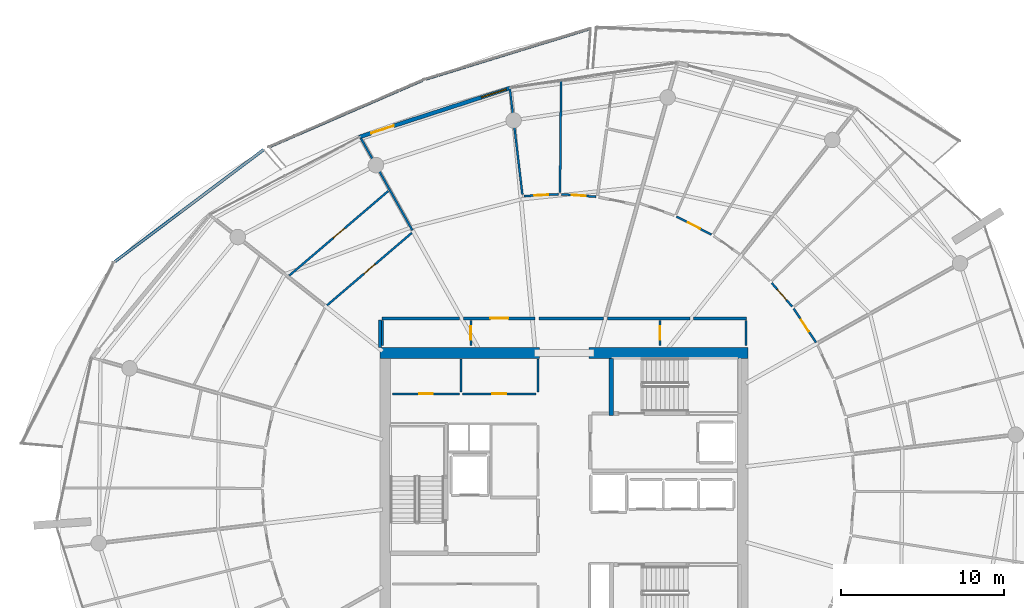
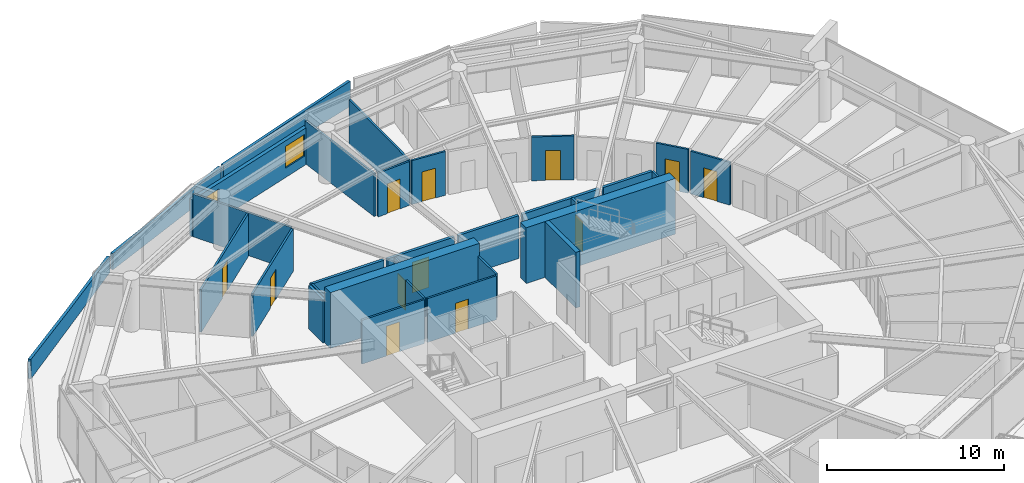
# One storey, part 21 of 30: 31 walls, 13 doors, 1 window, 14 openings.
"""IFC4 building model written with IfcOpenShell, lengths in metres."""

from ifc_helpers import new_model, si_unit, direction, frame, frame_2d, origin, place, context, subcontext, project, spatial, polyline, rectangle, outline, extrude, material, layer, layer_set, type_object, element, fill, save


model = new_model("IFC4")

# Units and contexts
model_context = context("Model", 3, precision=1e-05, world=origin(), true_north=direction((0.0, 1.0)))
body_context = subcontext(model_context, "Body", "Model", "MODEL_VIEW")
ifc_project = project(units=[si_unit("LENGTHUNIT", "METRE"), si_unit("AREAUNIT", "SQUARE_METRE"), si_unit("VOLUMEUNIT", "CUBIC_METRE"), si_unit("PLANEANGLEUNIT", "RADIAN"), si_unit("MASSUNIT", "GRAM", prefix="KILO")], contexts=[model_context])

# Site, building, storey
site_placement = place(None, origin())
site = spatial("IfcSite", under=ifc_project, at=site_placement, CompositionType="ELEMENT")
building_placement = place(site_placement, origin())
building = spatial("IfcBuilding", under=site, at=building_placement, Name="Kazma Halo Residences", CompositionType="ELEMENT")
storey_placement = place(building_placement, frame((0.0, 0.0, 255.949951171875)))
storey = spatial("IfcBuildingStorey", under=building, at=storey_placement, Name="L64", CompositionType="ELEMENT", Elevation=255.949951171875)

# Walls
ifc_material_1 = material(Name="White Concrete C50/60 Balustrade", Category="concrete")
ifc_layer_1 = layer(ifc_material_1, 0.179931640625)
ifc_layer_set_1 = layer_set([ifc_layer_1], Name="White Concrete C50/60 Balustrade")
wall_type_1 = type_object("IfcWallType", Name="WL-BAL-WAVE-180", PredefinedType="PARAPET", material=ifc_layer_set_1)
wall_1_placement = place(storey_placement, frame((50.046630859375, 70.205810546875, 0.0), z_axis=(0.0, 0.0, 1.0), x_axis=(-0.955884083791, -0.293744137565, 0.0)))
element("IfcWall", 1, at=wall_1_placement, inside=storey, type_object=wall_type_1, Name="L64 white wave balustrade wall NNW.1", PredefinedType="PARAPET", context=body_context, shape_type="SweptSolid", body=[
    extrude(outline(polyline([(0.0, 0.0), (10.543701171875, 0.0), (10.5439453125, 1.34814453125), (5.27197265625, 1.56201171875), (0.0, 1.7470703125), (0.0, 0.0)])), frame((0.0, 0.08984375, 0.0), z_axis=(0.0, -1.0, 0.0), x_axis=(1.0, 0.0, 0.0)), (0.0, 0.0, 1.0), 0.179931640625),
])
wall_2_placement = place(storey_placement, frame((39.7431640625, 67.025634765625, 0.0), z_axis=(0.0, 0.0, 1.0), x_axis=(-0.917372888721, -0.398028872119, 0.0)))
element("IfcWall", 2, at=wall_2_placement, inside=storey, type_object=wall_type_1, Name="L64 white wave balustrade wall NNW.2", PredefinedType="PARAPET", context=body_context, shape_type="SweptSolid", body=[
    extrude(outline(polyline([(0.0, 0.0), (10.257568359375, 0.0), (10.25732421875, 1.1201171875), (5.128662109375, 1.18212890625), (0.0, 1.34814453125), (0.0, 0.0)])), frame((0.0, 0.08984375, 0.0), z_axis=(0.0, -1.0, 0.0), x_axis=(1.0, 0.0, 0.0)), (0.0, 0.0, 1.0), 0.179931640625),
])
wall_3_placement = place(storey_placement, frame((30.027587890625, 62.784423828125, 0.0), z_axis=(0.0, 0.0, 1.0), x_axis=(-0.799146815098, -0.601135898046, 0.0)))
element("IfcWall", 3, at=wall_3_placement, inside=storey, type_object=wall_type_1, Name="L64 white wave balustrade wall NW.1", PredefinedType="PARAPET", context=body_context, shape_type="SweptSolid", body=[
    extrude(outline(polyline([(0.0, 0.0), (11.4111328125, 0.0), (11.4111328125, 1.34814453125), (5.70556640625, 1.18212890625), (0.0, 1.1201171875), (0.0, 0.0)])), frame((0.0, 0.08984375, 0.0), z_axis=(0.0, -1.0, 0.0), x_axis=(1.0, 0.0, 0.0)), (0.0, 0.0, 1.0), 0.179931640625),
])
ifc_material_2 = material(Name="Concrete C60/75", Category="concrete")
ifc_layer_2 = layer(ifc_material_2, 0.64990234375)
ifc_layer_set_2 = layer_set([ifc_layer_2], Name="Concrete C60/75")
wall_type_2 = type_object("IfcWallType", Name="WL-CORE-650", PredefinedType="SHEAR", material=ifc_layer_set_2)
for number, where, z_axis, x_axis, name in (
    (4, (37.14990234375, 50.324951171875, 0.0), (0.0, 0.0, 1.0), (1.0, 0.0, 0.0), "L64 central core shear wall NW"),
    (5, (49.949951171875, 50.324951171875, 0.0), (0.0, 0.0, 1.0), (1.0, 0.0, 0.0), "L64 central core shear wall NE"),
):
    element("IfcWall", number, at=place(storey_placement, frame(where, z_axis=z_axis, x_axis=x_axis)), inside=storey, type_object=wall_type_2, Name=name, PredefinedType="SHEAR", context=body_context, shape_type="SweptSolid", body=[
        extrude(rectangle(XDim=9.75, YDim=0.64990234375, at=frame_2d((4.875, 0.0))), origin(), (0.0, 0.0, 1.0), 3.85009765625),
    ])
ifc_layer_3 = layer(ifc_material_2, 0.280029296875)
ifc_layer_set_3 = layer_set([ifc_layer_3], Name="Concrete C60/75")
wall_type_3 = type_object("IfcWallType", Name="WL-CORE-ST-280", PredefinedType="SHEAR", material=ifc_layer_set_3)
wall_4_placement = place(storey_placement, frame((51.31005859375, 46.5, 0.0), z_axis=(0.0, 0.0, 1.0), x_axis=(0.0, 1.0, 0.0)))
element("IfcWall", 6, at=wall_4_placement, inside=storey, type_object=wall_type_3, Name="L64 stairwell bearing wall ST02-W", PredefinedType="SHEAR", context=body_context, shape_type="SweptSolid", body=[
    extrude(rectangle(XDim=3.5, YDim=0.280029296875, at=frame_2d((1.75, 0.0))), origin(), (0.0, 0.0, 1.0), 3.85009765625),
])

# Wall, opening, door
ifc_material_3 = material(Name="Acoustic Twin-Stud Gypsum")
ifc_layer_4 = layer(ifc_material_3, 0.179931640625)
ifc_layer_set_4 = layer_set([ifc_layer_4], Name="Acoustic Twin-Stud Gypsum")
wall_type_4 = type_object("IfcWallType", Name="WL-DEM-180", PredefinedType="PARTITIONING", material=ifc_layer_set_4)
wall_5_placement = place(storey_placement, frame((46.643310546875, 52.449951171875, 0.0), z_axis=(0.0, 0.0, 1.0), x_axis=(-1.0, 0.0, 0.0)))
wall_5 = element("IfcWall", 7, at=wall_5_placement, inside=storey, type_object=wall_type_4, Name="L64 Apartment 1 entrance corridor wall", PredefinedType="PARTITIONING", context=body_context, shape_type="SweptSolid", body=[
    extrude(rectangle(XDim=4.375732421875, YDim=0.179931640625, at=frame_2d((2.18798828125, 0.0))), origin(), (0.0, 0.0, 1.0), 2.95703125),
])
opening_1_placement = place(wall_5_placement, frame((1.6376953125, 0.0, 0.0)))
opening_1 = element("IfcOpeningElement", 8, at=opening_1_placement, cuts=wall_5, Name="Opening DA-1100", PredefinedType="OPENING", context=body_context, shape_type="SweptSolid", body=[
    extrude(rectangle(XDim=1.10009765625, YDim=2.10009765625, at=frame_2d((0.550048828125, 1.050048828125))), frame((0.0, 0.099853515625, 0.0), z_axis=(0.0, -1.0, 0.0), x_axis=(1.0, 0.0, 0.0)), (0.0, 0.0, 1.0), 0.199951171875),
])
ifc_material_4 = material(Name="Acoustic Walnut Fire Leaf")
door_type_1 = type_object("IfcDoorType", Name="DR-FD60-1100", OperationType="NOTDEFINED", PredefinedType="DOOR", material=ifc_material_4)
door_1_placement = place(opening_1_placement, origin())
door_1 = element("IfcDoor", 9, at=door_1_placement, inside=storey, type_object=door_type_1, Name="L64 Apartment 1 entrance fire door", OperationType="SINGLE_SWING_RIGHT", OverallHeight=2.10009765625, OverallWidth=1.10009765625, PredefinedType="DOOR", context=body_context, shape_type="SweptSolid", body=[
    extrude(rectangle(XDim=1.10009765625, YDim=2.10009765625, at=frame_2d((0.550048828125, 1.050048828125))), frame((0.0, 0.02490234375, 0.0), z_axis=(0.0, -1.0, 0.0), x_axis=(1.0, 0.0, 0.0)), (0.0, 0.0, 1.0), 0.050048828125),
])
fill(opening_1, door_1)

# Walls
wall_6_placement = place(storey_placement, frame((50.8271484375, 52.449951171875, 0.0), z_axis=(0.0, 0.0, 1.0), x_axis=(-1.0, 0.0, 0.0)))
element("IfcWall", 10, at=wall_6_placement, inside=storey, type_object=wall_type_4, Name="L64 Apartment 1 inner wall 2", PredefinedType="PARTITIONING", context=body_context, shape_type="SweptSolid", body=[
    extrude(rectangle(XDim=3.94384765625, YDim=0.179931640625, at=frame_2d((1.971923828125, 0.0))), origin(), (0.0, 0.0, 1.0), 2.95703125),
])
wall_7_placement = place(storey_placement, frame((42.027587890625, 52.449951171875, 0.0), z_axis=(0.0, 0.0, 1.0), x_axis=(-1.0, 0.0, 0.0)))
element("IfcWall", 11, at=wall_7_placement, inside=storey, type_object=wall_type_4, Name="L64 Apartment 1 inner wall 4", PredefinedType="PARTITIONING", context=body_context, shape_type="SweptSolid", body=[
    extrude(rectangle(XDim=4.757568359375, YDim=0.179931640625, at=frame_2d((2.37890625, 0.0))), origin(), (0.0, 0.0, 1.0), 2.95703125),
])
wall_8_placement = place(storey_placement, frame((37.14990234375, 52.330078125, 0.0), z_axis=(0.0, 0.0, 1.0), x_axis=(0.0, -1.0, 0.0)))
element("IfcWall", 12, at=wall_8_placement, inside=storey, type_object=wall_type_4, Name="L64 Apartment 1 inner wall 4", PredefinedType="PARTITIONING", context=body_context, shape_type="SweptSolid", body=[
    extrude(rectangle(XDim=1.656494140625, YDim=0.179931640625, at=frame_2d((0.828125, 0.0))), origin(), (0.0, 0.0, 1.0), 2.95703125),
])
wall_9_placement = place(storey_placement, frame((59.580078125, 52.449951171875, 0.0), z_axis=(0.0, 0.0, 1.0), x_axis=(-1.0, 0.0, 0.0)))
element("IfcWall", 13, at=wall_9_placement, inside=storey, type_object=wall_type_4, Name="L64 Apartment 3 inner wall 0", PredefinedType="PARTITIONING", context=body_context, shape_type="SweptSolid", body=[
    extrude(rectangle(XDim=3.221923828125, YDim=0.179931640625, at=frame_2d((1.61083984375, 0.0))), origin(), (0.0, 0.0, 1.0), 2.95703125),
])
wall_10_placement = place(storey_placement, frame((56.1181640625, 52.449951171875, 0.0), z_axis=(0.0, 0.0, 1.0), x_axis=(-1.0, 0.0, 0.0)))
element("IfcWall", 14, at=wall_10_placement, inside=storey, type_object=wall_type_4, Name="L64 Apartment 3 inner wall 1", PredefinedType="PARTITIONING", context=body_context, shape_type="SweptSolid", body=[
    extrude(rectangle(XDim=5.051025390625, YDim=0.179931640625, at=frame_2d((2.525390625, 0.0))), origin(), (0.0, 0.0, 1.0), 2.95703125),
])

# Wall, openings, door, window
ifc_material_5 = material(Name="Insulated Pale-Metal Composite Wall")
ifc_layer_5 = layer(ifc_material_5, 0.239990234375)
ifc_layer_set_5 = layer_set([ifc_layer_5], Name="Insulated Pale-Metal Composite Wall")
wall_type_5 = type_object("IfcWallType", Name="WL-EXT-HOST-240", PredefinedType="SOLIDWALL", material=ifc_layer_set_5)
wall_11_placement = place(storey_placement, frame((45.14208984375, 66.563720703125, 0.0), z_axis=(0.0, 0.0, 1.0), x_axis=(-0.951055974609, -0.309018661507, 0.0)))
wall_11 = element("IfcWall", 15, at=wall_11_placement, inside=storey, type_object=wall_type_5, Name="L64 exterior terrace-access wall B04", PredefinedType="SOLIDWALL", context=body_context, shape_type="SweptSolid", body=[
    extrude(rectangle(XDim=9.745361328125, YDim=0.239990234375, at=frame_2d((4.87255859375, 0.0))), origin(), (0.0, 0.0, 1.0), 2.5400390625),
])
opening_2_placement = place(wall_11_placement, frame((7.525390625, 0.0, 0.0)))
opening_2 = element("IfcOpeningElement", 16, at=opening_2_placement, cuts=wall_11, Name="Opening DTR-1600", PredefinedType="OPENING", context=body_context, shape_type="SweptSolid", body=[
    extrude(rectangle(XDim=1.449951171875, YDim=2.14990234375, at=frame_2d((0.72509765625, 1.074951171875))), frame((0.0, 0.1298828125, 0.0), z_axis=(0.0, -1.0, 0.0), x_axis=(1.0, 0.0, 0.0)), (0.0, 0.0, 1.0), 0.260009765625),
])
opening_3_placement = place(wall_11_placement, frame((0.280029296875, 0.0, 0.64990234375)))
opening_3 = element("IfcOpeningElement", 17, at=opening_3_placement, cuts=wall_11, Name="Opening W-1800", PredefinedType="OPENING", context=body_context, shape_type="SweptSolid", body=[
    extrude(rectangle(XDim=1.60009765625, YDim=1.5, at=frame_2d((0.800048828125, 0.75))), frame((0.0, 0.1298828125, 0.0), z_axis=(0.0, -1.0, 0.0), x_axis=(1.0, 0.0, 0.0)), (0.0, 0.0, 1.0), 0.260009765625),
])
ifc_material_6 = material(Name="Aluminium AW-6063 T6 Double-Glazed Terrace Door", Category="aluminium")
door_type_2 = type_object("IfcDoorType", Name="DR-EXT-TERR-1600", OperationType="NOTDEFINED", PredefinedType="DOOR", material=ifc_material_6)
door_2_placement = place(opening_2_placement, origin())
door_2 = element("IfcDoor", 18, at=door_2_placement, inside=storey, type_object=door_type_2, Name="L64 B04 balcony terrace door", OperationType="DOUBLE_DOOR_SLIDING", OverallHeight=2.14990234375, OverallWidth=1.449951171875, PredefinedType="DOOR", context=body_context, shape_type="SweptSolid", body=[
    extrude(rectangle(XDim=1.449951171875, YDim=2.14990234375, at=frame_2d((0.72509765625, 1.074951171875))), frame((0.0, 0.02490234375, 0.0), z_axis=(0.0, -1.0, 0.0), x_axis=(1.0, 0.0, 0.0)), (0.0, 0.0, 1.0), 0.050048828125),
])
fill(opening_2, door_2)
ifc_material_7 = material(Name="Clear Triple-Silver Low-E Glass in Aluminium AW-6063 T6 Frame", Category="aluminium")
window_type = type_object("IfcWindowType", Name="WIN-RES-1800", PartitioningType="DOUBLE_PANEL_VERTICAL", PredefinedType="WINDOW", material=ifc_material_7)
window_placement = place(opening_3_placement, origin())
window = element("IfcWindow", 19, at=window_placement, inside=storey, type_object=window_type, Name="L64 B04 apartment window", OverallHeight=1.5, OverallWidth=1.60009765625, PartitioningType="SINGLE_PANEL", PredefinedType="WINDOW", context=body_context, shape_type="SweptSolid", body=[
    extrude(rectangle(XDim=1.60009765625, YDim=1.5, at=frame_2d((0.800048828125, 0.75))), frame((0.0, 0.030029296875, 0.0), z_axis=(0.0, -1.0, 0.0), x_axis=(1.0, 0.0, 0.0)), (0.0, 0.0, 1.0), 0.06005859375),
])
fill(opening_3, window)

# Walls
ifc_material_8 = material(Name="Gypsum Plasterboard Partition")
ifc_layer_6 = layer(ifc_material_8, 0.125)
ifc_layer_set_6 = layer_set([ifc_layer_6], Name="Gypsum Plasterboard Partition")
wall_type_6 = type_object("IfcWallType", Name="WL-PART-125", PredefinedType="PARTITIONING", material=ifc_layer_set_6)
for number, where, z_axis, x_axis, name in (
    (20, (46.820068359375, 47.919921875, 0.0), (0.0, 0.0, 1.0), (0.0, 1.0, 0.0), "L64 reclaimed north east wall"),
    (21, (42.10009765625, 47.919921875, 0.0), (0.0, 0.0, 1.0), (0.0, 1.0, 0.0), "L64 reclaimed north divider wall"),
):
    element("IfcWall", number, at=place(storey_placement, frame(where, z_axis=z_axis, x_axis=x_axis)), inside=storey, type_object=wall_type_6, Name=name, PredefinedType="PARTITIONING", context=body_context, shape_type="SweptSolid", body=[
        extrude(rectangle(XDim=2.030029296875, YDim=0.125, at=frame_2d((1.01513671875, 0.0))), origin(), (0.0, 0.0, 1.0), 3.030029296875),
    ])

# Wall, opening, door
wall_12_placement = place(storey_placement, frame((37.919921875, 47.820068359375, 0.0), z_axis=(0.0, 0.0, 1.0), x_axis=(1.0, 0.0, 0.0)))
wall_12 = element("IfcWall", 22, at=wall_12_placement, inside=storey, type_object=wall_type_6, Name="L64 reclaimed north W front wall", PredefinedType="PARTITIONING", context=body_context, shape_type="SweptSolid", body=[
    extrude(rectangle(XDim=4.080078125, YDim=0.125, at=frame_2d((2.0400390625, 0.0))), origin(), (0.0, 0.0, 1.0), 3.030029296875),
])
opening_4_placement = place(wall_12_placement, frame((1.614990234375, 0.0, 0.0)))
opening_4 = element("IfcOpeningElement", 23, at=opening_4_placement, cuts=wall_12, Name="Opening DS-850", PredefinedType="OPENING", context=body_context, shape_type="SweptSolid", body=[
    extrude(rectangle(XDim=0.85009765625, YDim=2.06005859375, at=frame_2d((0.425048828125, 1.030029296875))), frame((0.0, 0.072509765625, 0.0), z_axis=(0.0, -1.0, 0.0), x_axis=(1.0, 0.0, 0.0)), (0.0, 0.0, 1.0), 0.14501953125),
])
ifc_material_9 = material(Name="Painted Steel Access Leaf", Category="steel")
door_type_3 = type_object("IfcDoorType", Name="DR-SVC-850", OperationType="NOTDEFINED", PredefinedType="DOOR", material=ifc_material_9)
door_3_placement = place(opening_4_placement, origin())
door_3 = element("IfcDoor", 24, at=door_3_placement, inside=storey, type_object=door_type_3, Name="L64 reclaimed north W door", OperationType="SINGLE_SWING_RIGHT", OverallHeight=2.06005859375, OverallWidth=0.85009765625, PredefinedType="DOOR", context=body_context, shape_type="SweptSolid", body=[
    extrude(rectangle(XDim=0.85009765625, YDim=2.06005859375, at=frame_2d((0.425048828125, 1.030029296875))), frame((0.0, 0.02490234375, 0.0), z_axis=(0.0, -1.0, 0.0), x_axis=(1.0, 0.0, 0.0)), (0.0, 0.0, 1.0), 0.050048828125),
])
fill(opening_4, door_3)

wall_13_placement = place(storey_placement, frame((42.199951171875, 47.820068359375, 0.0), z_axis=(0.0, 0.0, 1.0), x_axis=(1.0, 0.0, 0.0)))
wall_13 = element("IfcWall", 25, at=wall_13_placement, inside=storey, type_object=wall_type_6, Name="L64 reclaimed north E front wall", PredefinedType="PARTITIONING", context=body_context, shape_type="SweptSolid", body=[
    extrude(rectangle(XDim=4.5, YDim=0.125, at=frame_2d((2.25, 0.0))), origin(), (0.0, 0.0, 1.0), 3.030029296875),
])
opening_5_placement = place(wall_13_placement, frame((1.824951171875, 0.0, 0.0)))
opening_5 = element("IfcOpeningElement", 26, at=opening_5_placement, cuts=wall_13, Name="Opening DS-850", PredefinedType="OPENING", context=body_context, shape_type="SweptSolid", body=[
    extrude(rectangle(XDim=0.85009765625, YDim=2.06005859375, at=frame_2d((0.425048828125, 1.030029296875))), frame((0.0, 0.072509765625, 0.0), z_axis=(0.0, -1.0, 0.0), x_axis=(1.0, 0.0, 0.0)), (0.0, 0.0, 1.0), 0.14501953125),
])
door_4_placement = place(opening_5_placement, origin())
door_4 = element("IfcDoor", 27, at=door_4_placement, inside=storey, type_object=door_type_3, Name="L64 reclaimed north E door", OperationType="SINGLE_SWING_LEFT", OverallHeight=2.06005859375, OverallWidth=0.85009765625, PredefinedType="DOOR", context=body_context, shape_type="SweptSolid", body=[
    extrude(rectangle(XDim=0.85009765625, YDim=2.06005859375, at=frame_2d((0.425048828125, 1.030029296875))), frame((0.0, 0.02490234375, 0.0), z_axis=(0.0, -1.0, 0.0), x_axis=(1.0, 0.0, 0.0)), (0.0, 0.0, 1.0), 0.050048828125),
])
fill(opening_5, door_4)

# Walls
for number, where, z_axis, x_axis, name in (
    (28, (37.2900390625, 50.77001953125, 0.0), (0.0, 0.0, 1.0), (0.0, 1.0, 0.0), "L64 west linen end wall"),
    (29, (59.56005859375, 50.77001953125, 0.0), (0.0, 0.0, 1.0), (0.0, 1.0, 0.0), "L64 east cupboard end wall"),
):
    element("IfcWall", number, at=place(storey_placement, frame(where, z_axis=z_axis, x_axis=x_axis)), inside=storey, type_object=wall_type_6, Name=name, PredefinedType="PARTITIONING", context=body_context, shape_type="SweptSolid", body=[
        extrude(rectangle(XDim=1.5400390625, YDim=0.125, at=frame_2d((0.77001953125, 0.0))), origin(), (0.0, 0.0, 1.0), 3.030029296875),
    ])

# Wall, opening, door
wall_14_placement = place(storey_placement, frame((42.7099609375, 50.7900390625, 0.0), z_axis=(0.0, 0.0, 1.0), x_axis=(0.0, 1.0, 0.0)))
wall_14 = element("IfcWall", 30, at=wall_14_placement, inside=storey, type_object=wall_type_6, Name="L64 floor linen store door wall", PredefinedType="PARTITIONING", context=body_context, shape_type="SweptSolid", body=[
    extrude(rectangle(XDim=1.52001953125, YDim=0.125, at=frame_2d((0.760009765625, 0.0))), origin(), (0.0, 0.0, 1.0), 2.95703125),
])
opening_6_placement = place(wall_14_placement, frame((0.3349609375, 0.0, 0.0)))
opening_6 = element("IfcOpeningElement", 31, at=opening_6_placement, cuts=wall_14, Name="Opening DS-850", PredefinedType="OPENING", context=body_context, shape_type="SweptSolid", body=[
    extrude(rectangle(XDim=0.85009765625, YDim=2.06005859375, at=frame_2d((0.425048828125, 1.030029296875))), frame((0.0, 0.072509765625, 0.0), z_axis=(0.0, -1.0, 0.0), x_axis=(1.0, 0.0, 0.0)), (0.0, 0.0, 1.0), 0.14501953125),
])
door_5_placement = place(opening_6_placement, origin())
door_5 = element("IfcDoor", 32, at=door_5_placement, inside=storey, type_object=door_type_3, Name="L64 floor linen store door", OperationType="SINGLE_SWING_LEFT", OverallHeight=2.06005859375, OverallWidth=0.85009765625, PredefinedType="DOOR", context=body_context, shape_type="SweptSolid", body=[
    extrude(rectangle(XDim=0.85009765625, YDim=2.06005859375, at=frame_2d((0.425048828125, 1.030029296875))), frame((0.0, 0.02490234375, 0.0), z_axis=(0.0, -1.0, 0.0), x_axis=(1.0, 0.0, 0.0)), (0.0, 0.0, 1.0), 0.050048828125),
])
fill(opening_6, door_5)

wall_15_placement = place(storey_placement, frame((54.2900390625, 50.7900390625, 0.0), z_axis=(0.0, 0.0, 1.0), x_axis=(0.0, 1.0, 0.0)))
wall_15 = element("IfcWall", 33, at=wall_15_placement, inside=storey, type_object=wall_type_6, Name="L64 floor metering cupboard door wall", PredefinedType="PARTITIONING", context=body_context, shape_type="SweptSolid", body=[
    extrude(rectangle(XDim=1.52001953125, YDim=0.125, at=frame_2d((0.760009765625, 0.0))), origin(), (0.0, 0.0, 1.0), 3.030029296875),
])
opening_7_placement = place(wall_15_placement, frame((0.3349609375, 0.0, 0.0)))
opening_7 = element("IfcOpeningElement", 34, at=opening_7_placement, cuts=wall_15, Name="Opening DS-850", PredefinedType="OPENING", context=body_context, shape_type="SweptSolid", body=[
    extrude(rectangle(XDim=0.85009765625, YDim=2.06005859375, at=frame_2d((0.425048828125, 1.030029296875))), frame((0.0, 0.072509765625, 0.0), z_axis=(0.0, -1.0, 0.0), x_axis=(1.0, 0.0, 0.0)), (0.0, 0.0, 1.0), 0.14501953125),
])
door_6_placement = place(opening_7_placement, origin())
door_6 = element("IfcDoor", 35, at=door_6_placement, inside=storey, type_object=door_type_3, Name="L64 floor cupboard door", OperationType="SINGLE_SWING_RIGHT", OverallHeight=2.06005859375, OverallWidth=0.85009765625, PredefinedType="DOOR", context=body_context, shape_type="SweptSolid", body=[
    extrude(rectangle(XDim=0.85009765625, YDim=2.06005859375, at=frame_2d((0.425048828125, 1.030029296875))), frame((0.0, 0.02490234375, 0.0), z_axis=(0.0, -1.0, 0.0), x_axis=(1.0, 0.0, 0.0)), (0.0, 0.0, 1.0), 0.050048828125),
])
fill(opening_7, door_6)

# Walls
wall_16_placement = place(storey_placement, frame((45.8662109375, 60.0283203125, 0.0), z_axis=(0.0, 0.0, 1.0), x_axis=(-0.117545094797, 0.993067545885, 0.0)))
element("IfcWall", 36, at=wall_16_placement, inside=storey, type_object=wall_type_6, Name="L64 Apartment 1 living radial partition 2", PredefinedType="PARTITIONING", context=body_context, shape_type="SweptSolid", body=[
    extrude(rectangle(XDim=6.54052734375, YDim=0.125, at=frame_2d((3.270263671875, 0.0))), origin(), (0.0, 0.0, 1.0), 2.95703125),
])
wall_17_placement = place(storey_placement, frame((48.1708984375, 60.143310546875, 0.0), z_axis=(0.0, 0.0, 1.0), x_axis=(0.009441272277, 0.999955430196, 0.0)))
element("IfcWall", 37, at=wall_17_placement, inside=storey, type_object=wall_type_6, Name="L64 Apartment 1 suite divider 2", PredefinedType="PARTITIONING", context=body_context, shape_type="SweptSolid", body=[
    extrude(rectangle(XDim=6.8525390625, YDim=0.125, at=frame_2d((3.42626953125, 0.0))), origin(), (0.0, 0.0, 1.0), 3.030029296875),
])

# Wall, opening, door
wall_18_placement = place(storey_placement, frame((50.369873046875, 59.892333984375, 0.0), z_axis=(0.0, 0.0, 1.0), x_axis=(-0.997336577358, 0.072936626353, 0.0)))
wall_18 = element("IfcWall", 38, at=wall_18_placement, inside=storey, type_object=wall_type_6, Name="L64 Apartment 1 Gourmet Kitchen hall wall", PredefinedType="PARTITIONING", context=body_context, shape_type="SweptSolid", body=[
    extrude(rectangle(XDim=2.12548828125, YDim=0.125, at=frame_2d((1.062744140625, 0.0))), origin(), (0.0, 0.0, 1.0), 3.030029296875),
])
opening_8_placement = place(wall_18_placement, frame((0.6376953125, 0.0, 0.0)))
opening_8 = element("IfcOpeningElement", 39, at=opening_8_placement, cuts=wall_18, Name="Opening DB-900", PredefinedType="OPENING", context=body_context, shape_type="SweptSolid", body=[
    extrude(rectangle(XDim=0.85009765625, YDim=2.06005859375, at=frame_2d((0.425048828125, 1.030029296875))), frame((0.0, 0.072509765625, 0.0), z_axis=(0.0, -1.0, 0.0), x_axis=(1.0, 0.0, 0.0)), (0.0, 0.0, 1.0), 0.14501953125),
])
ifc_material_10 = material(Name="Moisture-Sealed Timber Leaf", Category="wood")
door_type_4 = type_object("IfcDoorType", Name="DR-BTH-900", OperationType="NOTDEFINED", PredefinedType="DOOR", material=ifc_material_10)
door_7_placement = place(opening_8_placement, origin())
door_7 = element("IfcDoor", 40, at=door_7_placement, inside=storey, type_object=door_type_4, Name="L64 Apartment 1 Gourmet Kitchen door", OperationType="SINGLE_SWING_LEFT", OverallHeight=2.06005859375, OverallWidth=0.85009765625, PredefinedType="DOOR", context=body_context, shape_type="SweptSolid", body=[
    extrude(rectangle(XDim=0.85009765625, YDim=2.06005859375, at=frame_2d((0.425048828125, 1.030029296875))), frame((0.0, 0.02490234375, 0.0), z_axis=(0.0, -1.0, 0.0), x_axis=(1.0, 0.0, 0.0)), (0.0, 0.0, 1.0), 0.050048828125),
])
fill(opening_8, door_7)

wall_19_placement = place(storey_placement, frame((48.09033203125, 60.048828125, 0.0), z_axis=(0.0, 0.0, 1.0), x_axis=(-0.998534362098, -0.054121416367, 0.0)))
wall_19 = element("IfcWall", 41, at=wall_19_placement, inside=storey, type_object=wall_type_6, Name="L64 Apartment 1 Primary Bedroom hall wall", PredefinedType="PARTITIONING", context=body_context, shape_type="SweptSolid", body=[
    extrude(rectangle(XDim=2.11572265625, YDim=0.125, at=frame_2d((1.057861328125, 0.0))), origin(), (0.0, 0.0, 1.0), 3.030029296875),
])
opening_9_placement = place(wall_19_placement, frame((0.6328125, 0.0, 0.0)))
opening_9 = element("IfcOpeningElement", 42, at=opening_9_placement, cuts=wall_19, Name="Opening DB-900", PredefinedType="OPENING", context=body_context, shape_type="SweptSolid", body=[
    extrude(rectangle(XDim=0.85009765625, YDim=2.06005859375, at=frame_2d((0.425048828125, 1.030029296875))), frame((0.0, 0.072509765625, 0.0), z_axis=(0.0, -1.0, 0.0), x_axis=(1.0, 0.0, 0.0)), (0.0, 0.0, 1.0), 0.14501953125),
])
door_8_placement = place(opening_9_placement, origin())
door_8 = element("IfcDoor", 43, at=door_8_placement, inside=storey, type_object=door_type_4, Name="L64 Apartment 1 Primary Bedroom door", OperationType="SINGLE_SWING_RIGHT", OverallHeight=2.06005859375, OverallWidth=0.85009765625, PredefinedType="DOOR", context=body_context, shape_type="SweptSolid", body=[
    extrude(rectangle(XDim=0.85009765625, YDim=2.06005859375, at=frame_2d((0.425048828125, 1.030029296875))), frame((0.0, 0.02490234375, 0.0), z_axis=(0.0, -1.0, 0.0), x_axis=(1.0, 0.0, 0.0)), (0.0, 0.0, 1.0), 0.050048828125),
])
fill(opening_9, door_8)

# Wall
wall_20_placement = place(storey_placement, frame((39.12939453125, 57.83935546875, 0.0), z_axis=(0.0, 0.0, 1.0), x_axis=(-0.488617220279, 0.872498259051, 0.0)))
element("IfcWall", 44, at=wall_20_placement, inside=storey, type_object=wall_type_6, Name="L64 Apartment 1 radial partition 4", PredefinedType="PARTITIONING", context=body_context, shape_type="SweptSolid", body=[
    extrude(rectangle(XDim=6.440673828125, YDim=0.125, at=frame_2d((3.22021484375, 0.0))), origin(), (0.0, 0.0, 1.0), 2.95703125),
])

# Wall, opening, door
wall_21_placement = place(storey_placement, frame((39.0947265625, 57.6806640625, 0.0), z_axis=(0.0, 0.0, 1.0), x_axis=(-0.760396866349, -0.649458702033, 0.0)))
wall_21 = element("IfcWall", 45, at=wall_21_placement, inside=storey, type_object=wall_type_6, Name="L64 Apartment 1 East Study hall wall", PredefinedType="PARTITIONING", context=body_context, shape_type="SweptSolid", body=[
    extrude(rectangle(XDim=6.824462890625, YDim=0.125, at=frame_2d((3.412109375, 0.0))), origin(), (0.0, 0.0, 1.0), 2.95703125),
])
opening_10_placement = place(wall_21_placement, frame((2.962158203125, 0.0, 0.0)))
opening_10 = element("IfcOpeningElement", 46, at=opening_10_placement, cuts=wall_21, Name="Opening DI-950", PredefinedType="OPENING", context=body_context, shape_type="SweptSolid", body=[
    extrude(rectangle(XDim=0.89990234375, YDim=2.080078125, at=frame_2d((0.449951171875, 1.0400390625))), frame((0.0, 0.072509765625, 0.0), z_axis=(0.0, -1.0, 0.0), x_axis=(1.0, 0.0, 0.0)), (0.0, 0.0, 1.0), 0.14501953125),
])
ifc_material_11 = material(Name="Timber Veneer Flush Leaf", Category="wood")
door_type_5 = type_object("IfcDoorType", Name="DR-INT-950", OperationType="NOTDEFINED", PredefinedType="DOOR", material=ifc_material_11)
door_9_placement = place(opening_10_placement, origin())
door_9 = element("IfcDoor", 47, at=door_9_placement, inside=storey, type_object=door_type_5, Name="L64 Apartment 1 East Study door", OperationType="SINGLE_SWING_LEFT", OverallHeight=2.080078125, OverallWidth=0.89990234375, PredefinedType="DOOR", context=body_context, shape_type="SweptSolid", body=[
    extrude(rectangle(XDim=0.89990234375, YDim=2.080078125, at=frame_2d((0.449951171875, 1.0400390625))), frame((0.0, 0.02490234375, 0.0), z_axis=(0.0, -1.0, 0.0), x_axis=(1.0, 0.0, 0.0)), (0.0, 0.0, 1.0), 0.050048828125),
])
fill(opening_10, door_9)

wall_22_placement = place(storey_placement, frame((37.65673828125, 60.248291015625, 0.0), z_axis=(0.0, 0.0, 1.0), x_axis=(-0.76041400447, -0.649438635905, 0.0)))
wall_22 = element("IfcWall", 48, at=wall_22_placement, inside=storey, type_object=wall_type_6, Name="L64 Apartment 1 West Master Bedroom divider wall", PredefinedType="PARTITIONING", context=body_context, shape_type="SweptSolid", body=[
    extrude(rectangle(XDim=7.97265625, YDim=0.125, at=frame_2d((3.986328125, 0.0))), origin(), (0.0, 0.0, 1.0), 2.95703125),
])
opening_11_placement = place(wall_22_placement, frame((3.536376953125, 0.0, 0.0)))
opening_11 = element("IfcOpeningElement", 49, at=opening_11_placement, cuts=wall_22, Name="Opening DI-950", PredefinedType="OPENING", context=body_context, shape_type="SweptSolid", body=[
    extrude(rectangle(XDim=0.89990234375, YDim=2.080078125, at=frame_2d((0.449951171875, 1.0400390625))), frame((0.0, 0.072509765625, 0.0), z_axis=(0.0, -1.0, 0.0), x_axis=(1.0, 0.0, 0.0)), (0.0, 0.0, 1.0), 0.14501953125),
])
door_10_placement = place(opening_11_placement, origin())
door_10 = element("IfcDoor", 50, at=door_10_placement, inside=storey, type_object=door_type_5, Name="L64 Apartment 1 West Master Bedroom door", OperationType="SINGLE_SWING_RIGHT", OverallHeight=2.080078125, OverallWidth=0.89990234375, PredefinedType="DOOR", context=body_context, shape_type="SweptSolid", body=[
    extrude(rectangle(XDim=0.89990234375, YDim=2.080078125, at=frame_2d((0.449951171875, 1.0400390625))), frame((0.0, 0.02490234375, 0.0), z_axis=(0.0, -1.0, 0.0), x_axis=(1.0, 0.0, 0.0)), (0.0, 0.0, 1.0), 0.050048828125),
])
fill(opening_11, door_10)

wall_23_placement = place(storey_placement, frame((63.85009765625, 50.968017578125, 0.0), z_axis=(0.0, 0.0, 1.0), x_axis=(-0.550588918003, 0.834776523012, 0.0)))
wall_23 = element("IfcWall", 51, at=wall_23_placement, inside=storey, type_object=wall_type_6, Name="L64 Apartment 3 Gulf Master Bedroom hall wall", PredefinedType="PARTITIONING", context=body_context, shape_type="SweptSolid", body=[
    extrude(rectangle(XDim=2.484375, YDim=0.125, at=frame_2d((1.2421875, 0.0))), origin(), (0.0, 0.0, 1.0), 2.95703125),
])
opening_12_placement = place(wall_23_placement, frame((0.8173828125, 0.0, 0.0)))
opening_12 = element("IfcOpeningElement", 52, at=opening_12_placement, cuts=wall_23, Name="Opening DB-900", PredefinedType="OPENING", context=body_context, shape_type="SweptSolid", body=[
    extrude(rectangle(XDim=0.85009765625, YDim=2.06005859375, at=frame_2d((0.425048828125, 1.030029296875))), frame((0.0, 0.072509765625, 0.0), z_axis=(0.0, -1.0, 0.0), x_axis=(1.0, 0.0, 0.0)), (0.0, 0.0, 1.0), 0.14501953125),
])
door_11_placement = place(opening_12_placement, origin())
door_11 = element("IfcDoor", 53, at=door_11_placement, inside=storey, type_object=door_type_4, Name="L64 Apartment 3 Gulf Master Bedroom door", OperationType="SINGLE_SWING_RIGHT", OverallHeight=2.06005859375, OverallWidth=0.85009765625, PredefinedType="DOOR", context=body_context, shape_type="SweptSolid", body=[
    extrude(rectangle(XDim=0.85009765625, YDim=2.06005859375, at=frame_2d((0.425048828125, 1.030029296875))), frame((0.0, 0.02490234375, 0.0), z_axis=(0.0, -1.0, 0.0), x_axis=(1.0, 0.0, 0.0)), (0.0, 0.0, 1.0), 0.050048828125),
])
fill(opening_12, door_11)

wall_24_placement = place(storey_placement, frame((62.3857421875, 53.169189453125, 0.0), z_axis=(0.0, 0.0, 1.0), x_axis=(-0.653885574284, 0.756593454732, 0.0)))
wall_24 = element("IfcWall", 54, at=wall_24_placement, inside=storey, type_object=wall_type_6, Name="L64 Apartment 3 Primary Study hall wall", PredefinedType="PARTITIONING", context=body_context, shape_type="SweptSolid", body=[
    extrude(rectangle(XDim=1.91357421875, YDim=0.125, at=frame_2d((0.956787109375, 0.0))), origin(), (0.0, 0.0, 1.0), 3.030029296875),
])
opening_13_placement = place(wall_24_placement, frame((0.53173828125, 0.0, 0.0)))
opening_13 = element("IfcOpeningElement", 55, at=opening_13_placement, cuts=wall_24, Name="Opening DB-900", PredefinedType="OPENING", context=body_context, shape_type="SweptSolid", body=[
    extrude(rectangle(XDim=0.85009765625, YDim=2.06005859375, at=frame_2d((0.425048828125, 1.030029296875))), frame((0.0, 0.072509765625, 0.0), z_axis=(0.0, -1.0, 0.0), x_axis=(1.0, 0.0, 0.0)), (0.0, 0.0, 1.0), 0.14501953125),
])
door_12_placement = place(opening_13_placement, origin())
door_12 = element("IfcDoor", 56, at=door_12_placement, inside=storey, type_object=door_type_4, Name="L64 Apartment 3 Primary Study door", OperationType="SINGLE_SWING_LEFT", OverallHeight=2.06005859375, OverallWidth=0.85009765625, PredefinedType="DOOR", context=body_context, shape_type="SweptSolid", body=[
    extrude(rectangle(XDim=0.85009765625, YDim=2.06005859375, at=frame_2d((0.425048828125, 1.030029296875))), frame((0.0, 0.02490234375, 0.0), z_axis=(0.0, -1.0, 0.0), x_axis=(1.0, 0.0, 0.0)), (0.0, 0.0, 1.0), 0.050048828125),
])
fill(opening_13, door_12)

wall_25_placement = place(storey_placement, frame((57.447509765625, 57.5693359375, 0.0), z_axis=(0.0, 0.0, 1.0), x_axis=(-0.887400582176, 0.460999139646, 0.0)))
wall_25 = element("IfcWall", 57, at=wall_25_placement, inside=storey, type_object=wall_type_6, Name="L64 Apartment 3 South Study hall wall", PredefinedType="PARTITIONING", context=body_context, shape_type="SweptSolid", body=[
    extrude(rectangle(XDim=2.413330078125, YDim=0.125, at=frame_2d((1.20654296875, 0.0))), origin(), (0.0, 0.0, 1.0), 3.030029296875),
])
opening_14_placement = place(wall_25_placement, frame((0.781494140625, 0.0, 0.0)))
opening_14 = element("IfcOpeningElement", 58, at=opening_14_placement, cuts=wall_25, Name="Opening DB-900", PredefinedType="OPENING", context=body_context, shape_type="SweptSolid", body=[
    extrude(rectangle(XDim=0.85009765625, YDim=2.06005859375, at=frame_2d((0.425048828125, 1.030029296875))), frame((0.0, 0.072509765625, 0.0), z_axis=(0.0, -1.0, 0.0), x_axis=(1.0, 0.0, 0.0)), (0.0, 0.0, 1.0), 0.14501953125),
])
door_13_placement = place(opening_14_placement, origin())
door_13 = element("IfcDoor", 59, at=door_13_placement, inside=storey, type_object=door_type_4, Name="L64 Apartment 3 South Study door", OperationType="SINGLE_SWING_RIGHT", OverallHeight=2.06005859375, OverallWidth=0.85009765625, PredefinedType="DOOR", context=body_context, shape_type="SweptSolid", body=[
    extrude(rectangle(XDim=0.85009765625, YDim=2.06005859375, at=frame_2d((0.425048828125, 1.030029296875))), frame((0.0, 0.02490234375, 0.0), z_axis=(0.0, -1.0, 0.0), x_axis=(1.0, 0.0, 0.0)), (0.0, 0.0, 1.0), 0.050048828125),
])
fill(opening_14, door_13)

save(model, "model.ifc")
